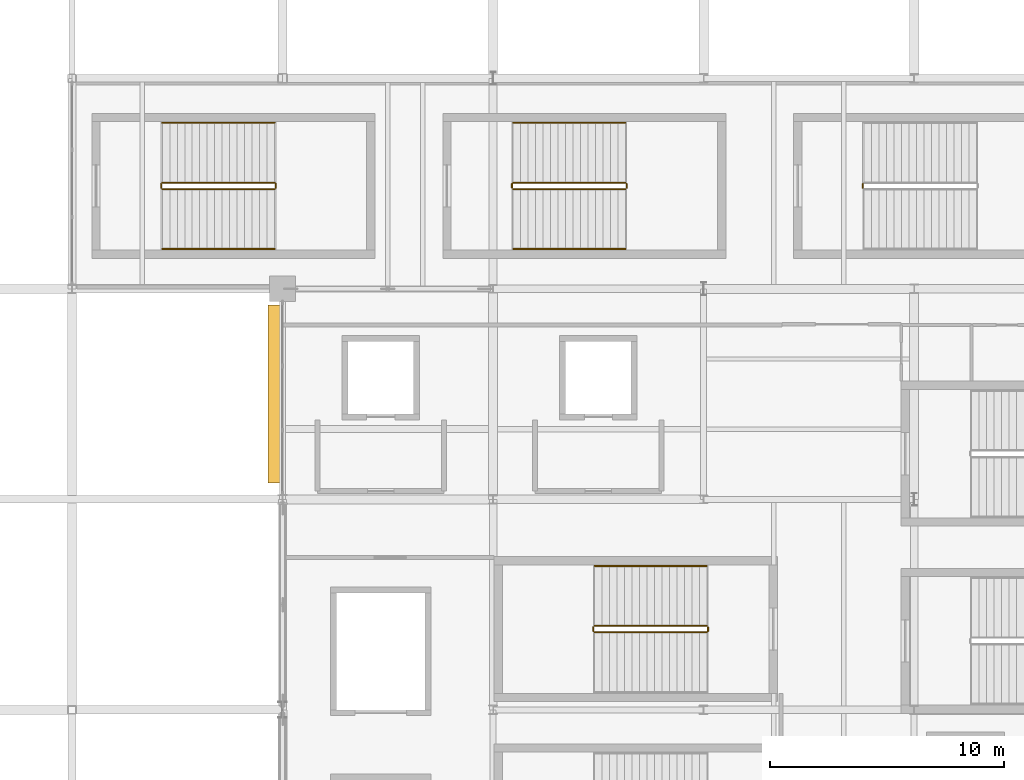
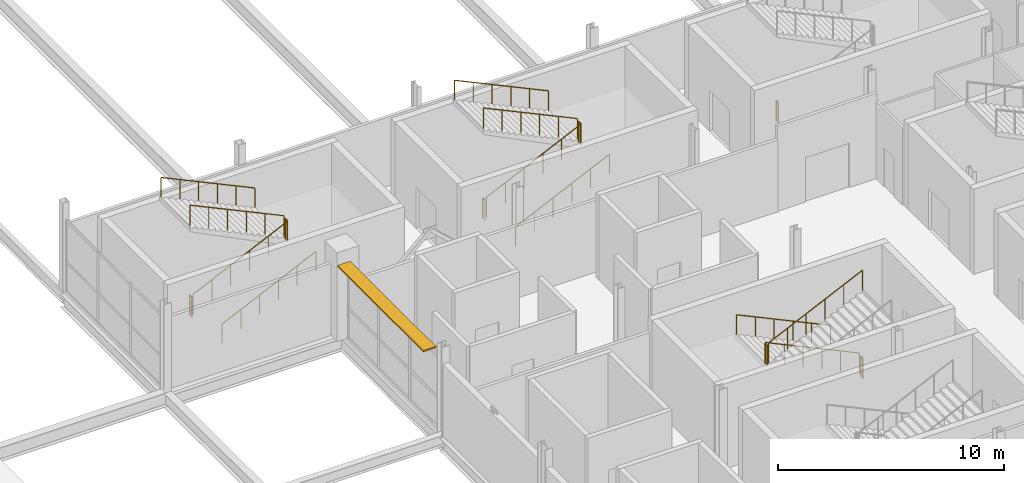
# One storey, part 222 of 224: 18 railings, 1 shading device.
"""IFC4 building model written with IfcOpenShell, lengths in metres."""

from ifc_helpers import new_model, si_unit, direction, frame, origin, origin_2d, place, context, subcontext, project, spatial, rectangle, circle, extrude, material, type_object, element, save


model = new_model("IFC4")

# Units and contexts
model_context = context("Model", 3, precision=1e-05, world=origin(), true_north=direction((0.0, 1.0)))
body_context = subcontext(model_context, "Body", "Model", "MODEL_VIEW")
ifc_project = project(units=[si_unit("LENGTHUNIT", "METRE"), si_unit("AREAUNIT", "SQUARE_METRE"), si_unit("VOLUMEUNIT", "CUBIC_METRE"), si_unit("PLANEANGLEUNIT", "RADIAN"), si_unit("MASSUNIT", "GRAM", prefix="KILO")], contexts=[model_context])

# Site, building, storey
site_placement = place(None, origin())
site = spatial("IfcSite", under=ifc_project, at=site_placement, CompositionType="ELEMENT")
building_placement = place(site_placement, origin())
building = spatial("IfcBuilding", under=site, at=building_placement, Name="Qamarlyn Nura Convention Centre", CompositionType="ELEMENT")
storey_placement = place(building_placement, frame((0.0, 0.0, 10.800048828125)))
storey = spatial("IfcBuildingStorey", under=building, at=storey_placement, Name="L02", CompositionType="ELEMENT", Elevation=10.800048828125)

# Railings
ifc_material_1 = material(Name="Marine Grade 316 stainless steel", Category="steel")
railing_type_1 = type_object("IfcRailingType", Name="GRD-STAIR-112", PredefinedType="BALUSTRADE", material=ifc_material_1)
railing_1_placement = place(storey_placement, frame((171.139892578125, 66.590087890625, 0.14990234375)))
element("IfcRailing", 1, at=railing_1_placement, inside=storey, type_object=railing_type_1, Name="L02 ST-12 stair guard 1", PredefinedType="BALUSTRADE", context=body_context, shape_type="SweptSolid", body=[
    extrude(circle(Radius=0.02392578125, at=origin_2d()), frame((0.0, 0.0, 1.09619140625), z_axis=(-0.905452298538, 0.0, 0.424448035774), x_axis=(0.0, -1.0, 0.0)), (0.0, 0.0, 1.0), 5.301025390625),
    extrude(circle(Radius=0.02099609375, at=origin_2d()), origin(), (0.0, 0.0, 1.0), 1.070068359375),
    extrude(circle(Radius=0.02099609375, at=origin_2d()), frame((-0.9599609375, 0.0, 0.449951171875)), (0.0, 0.0, 1.0), 1.070068359375),
    extrude(circle(Radius=0.02099609375, at=origin_2d()), frame((-1.919921875, 0.0, 0.89990234375)), (0.0, 0.0, 1.0), 1.070068359375),
    extrude(circle(Radius=0.02099609375, at=origin_2d()), frame((-2.8798828125, 0.0, 1.35009765625)), (0.0, 0.0, 1.0), 1.070068359375),
    extrude(circle(Radius=0.02099609375, at=origin_2d()), frame((-3.83984375, 0.0, 1.800048828125)), (0.0, 0.0, 1.0), 1.070068359375),
    extrude(circle(Radius=0.02099609375, at=origin_2d()), frame((-4.7998046875, 0.0, 2.25)), (0.0, 0.0, 1.0), 1.070068359375),
])
railing_2_placement = place(storey_placement, frame((166.2900390625, 66.5400390625, 2.39990234375)))
element("IfcRailing", 2, at=railing_2_placement, inside=storey, type_object=railing_type_1, Name="L02 ST-12 stair guard 2", PredefinedType="BALUSTRADE", context=body_context, shape_type="SweptSolid", body=[
    extrude(circle(Radius=0.02392578125, at=origin_2d()), frame((0.0, 0.0, 1.09619140625), z_axis=(0.0, -1.0, 0.0), x_axis=(1.0, 0.0, 0.0)), (0.0, 0.0, 1.0), 0.179931640625),
    extrude(circle(Radius=0.02099609375, at=origin_2d()), origin(), (0.0, 0.0, 1.0), 1.070068359375),
    extrude(circle(Radius=0.02099609375, at=origin_2d()), frame((0.0, -0.179931640625, 0.0)), (0.0, 0.0, 1.0), 1.070068359375),
])
railing_3_placement = place(storey_placement, frame((166.340087890625, 66.31005859375, 2.550048828125)))
element("IfcRailing", 3, at=railing_3_placement, inside=storey, type_object=railing_type_1, Name="L02 ST-12 stair guard 3", PredefinedType="BALUSTRADE", context=body_context, shape_type="SweptSolid", body=[
    extrude(circle(Radius=0.02392578125, at=origin_2d()), frame((0.0, 0.0, 1.09619140625), z_axis=(0.905452298538, 0.0, 0.424448035774), x_axis=(0.0, 1.0, 0.0)), (0.0, 0.0, 1.0), 5.301025390625),
    extrude(circle(Radius=0.02099609375, at=origin_2d()), origin(), (0.0, 0.0, 1.0), 1.070068359375),
    extrude(circle(Radius=0.02099609375, at=origin_2d()), frame((0.9599609375, 0.0, 0.449951171875)), (0.0, 0.0, 1.0), 1.070068359375),
    extrude(circle(Radius=0.02099609375, at=origin_2d()), frame((1.919921875, 0.0, 0.89990234375)), (0.0, 0.0, 1.0), 1.070068359375),
    extrude(circle(Radius=0.02099609375, at=origin_2d()), frame((2.8798828125, 0.0, 1.35009765625)), (0.0, 0.0, 1.0), 1.070068359375),
    extrude(circle(Radius=0.02099609375, at=origin_2d()), frame((3.83984375, 0.0, 1.800048828125)), (0.0, 0.0, 1.0), 1.070068359375),
    extrude(circle(Radius=0.02099609375, at=origin_2d()), frame((4.7998046875, 0.0, 2.25)), (0.0, 0.0, 1.0), 1.070068359375),
])
railing_4_placement = place(storey_placement, frame((171.18994140625, 66.5400390625, 0.0)))
element("IfcRailing", 4, at=railing_4_placement, inside=storey, type_object=railing_type_1, Name="L02 ST-12 stair guard 4", PredefinedType="BALUSTRADE", context=body_context, shape_type="SweptSolid", body=[
    extrude(circle(Radius=0.02392578125, at=origin_2d()), frame((0.0, 0.0, 1.09619140625), z_axis=(0.0, -1.0, 0.0), x_axis=(1.0, 0.0, 0.0)), (0.0, 0.0, 1.0), 0.179931640625),
    extrude(circle(Radius=0.02099609375, at=origin_2d()), origin(), (0.0, 0.0, 1.0), 1.070068359375),
    extrude(circle(Radius=0.02099609375, at=origin_2d()), frame((0.0, -0.179931640625, 0.0)), (0.0, 0.0, 1.0), 1.070068359375),
])
railing_5_placement = place(storey_placement, frame((147.860107421875, 85.260009765625, 0.14990234375)))
element("IfcRailing", 5, at=railing_5_placement, inside=storey, type_object=railing_type_1, Name="L02 ST-15 stair guard 1", PredefinedType="BALUSTRADE", context=body_context, shape_type="SweptSolid", body=[
    extrude(circle(Radius=0.02392578125, at=origin_2d()), frame((0.0, 0.0, 1.09619140625), z_axis=(0.905452298538, 0.0, 0.424448035774), x_axis=(0.0, 1.0, 0.0)), (0.0, 0.0, 1.0), 5.301025390625),
    extrude(circle(Radius=0.02099609375, at=origin_2d()), origin(), (0.0, 0.0, 1.0), 1.070068359375),
    extrude(circle(Radius=0.02099609375, at=origin_2d()), frame((0.9599609375, 0.0, 0.449951171875)), (0.0, 0.0, 1.0), 1.070068359375),
    extrude(circle(Radius=0.02099609375, at=origin_2d()), frame((1.919921875, 0.0, 0.89990234375)), (0.0, 0.0, 1.0), 1.070068359375),
    extrude(circle(Radius=0.02099609375, at=origin_2d()), frame((2.8798828125, 0.0, 1.35009765625)), (0.0, 0.0, 1.0), 1.070068359375),
    extrude(circle(Radius=0.02099609375, at=origin_2d()), frame((3.83984375, 0.0, 1.800048828125)), (0.0, 0.0, 1.0), 1.070068359375),
    extrude(circle(Radius=0.02099609375, at=origin_2d()), frame((4.7998046875, 0.0, 2.25)), (0.0, 0.0, 1.0), 1.070068359375),
])
railing_6_placement = place(storey_placement, frame((152.7099609375, 85.31005859375, 2.39990234375)))
element("IfcRailing", 6, at=railing_6_placement, inside=storey, type_object=railing_type_1, Name="L02 ST-15 stair guard 2", PredefinedType="BALUSTRADE", context=body_context, shape_type="SweptSolid", body=[
    extrude(circle(Radius=0.02392578125, at=origin_2d()), frame((0.0, 0.0, 1.09619140625), z_axis=(0.0, 1.0, 0.0), x_axis=(-1.0, 0.0, 0.0)), (0.0, 0.0, 1.0), 0.179931640625),
    extrude(circle(Radius=0.02099609375, at=origin_2d()), origin(), (0.0, 0.0, 1.0), 1.070068359375),
    extrude(circle(Radius=0.02099609375, at=origin_2d()), frame((0.0, 0.179931640625, 0.0)), (0.0, 0.0, 1.0), 1.070068359375),
])
railing_7_placement = place(storey_placement, frame((152.659912109375, 85.5400390625, 2.550048828125)))
element("IfcRailing", 7, at=railing_7_placement, inside=storey, type_object=railing_type_1, Name="L02 ST-15 stair guard 3", PredefinedType="BALUSTRADE", context=body_context, shape_type="SweptSolid", body=[
    extrude(circle(Radius=0.02392578125, at=origin_2d()), frame((0.0, 0.0, 1.09619140625), z_axis=(-0.905452298538, 0.0, 0.424448035774), x_axis=(0.0, -1.0, 0.0)), (0.0, 0.0, 1.0), 5.301025390625),
    extrude(circle(Radius=0.02099609375, at=origin_2d()), origin(), (0.0, 0.0, 1.0), 1.070068359375),
    extrude(circle(Radius=0.02099609375, at=origin_2d()), frame((-0.9599609375, 0.0, 0.449951171875)), (0.0, 0.0, 1.0), 1.070068359375),
    extrude(circle(Radius=0.02099609375, at=origin_2d()), frame((-1.919921875, 0.0, 0.89990234375)), (0.0, 0.0, 1.0), 1.070068359375),
    extrude(circle(Radius=0.02099609375, at=origin_2d()), frame((-2.8798828125, 0.0, 1.35009765625)), (0.0, 0.0, 1.0), 1.070068359375),
    extrude(circle(Radius=0.02099609375, at=origin_2d()), frame((-3.83984375, 0.0, 1.800048828125)), (0.0, 0.0, 1.0), 1.070068359375),
    extrude(circle(Radius=0.02099609375, at=origin_2d()), frame((-4.7998046875, 0.0, 2.25)), (0.0, 0.0, 1.0), 1.070068359375),
])
railing_8_placement = place(storey_placement, frame((147.81005859375, 85.31005859375, 0.0)))
element("IfcRailing", 8, at=railing_8_placement, inside=storey, type_object=railing_type_1, Name="L02 ST-15 stair guard 4", PredefinedType="BALUSTRADE", context=body_context, shape_type="SweptSolid", body=[
    extrude(circle(Radius=0.02392578125, at=origin_2d()), frame((0.0, 0.0, 1.09619140625), z_axis=(0.0, 1.0, 0.0), x_axis=(-1.0, 0.0, 0.0)), (0.0, 0.0, 1.0), 0.179931640625),
    extrude(circle(Radius=0.02099609375, at=origin_2d()), origin(), (0.0, 0.0, 1.0), 1.070068359375),
    extrude(circle(Radius=0.02099609375, at=origin_2d()), frame((0.0, 0.179931640625, 0.0)), (0.0, 0.0, 1.0), 1.070068359375),
])
railing_9_placement = place(storey_placement, frame((162.860107421875, 85.260009765625, 0.14990234375)))
element("IfcRailing", 9, at=railing_9_placement, inside=storey, type_object=railing_type_1, Name="L02 ST-16 stair guard 1", PredefinedType="BALUSTRADE", context=body_context, shape_type="SweptSolid", body=[
    extrude(circle(Radius=0.02392578125, at=origin_2d()), frame((0.0, 0.0, 1.09619140625), z_axis=(0.905452298538, 0.0, 0.424448035774), x_axis=(0.0, 1.0, 0.0)), (0.0, 0.0, 1.0), 5.301025390625),
    extrude(circle(Radius=0.02099609375, at=origin_2d()), origin(), (0.0, 0.0, 1.0), 1.070068359375),
    extrude(circle(Radius=0.02099609375, at=origin_2d()), frame((0.9599609375, 0.0, 0.449951171875)), (0.0, 0.0, 1.0), 1.070068359375),
    extrude(circle(Radius=0.02099609375, at=origin_2d()), frame((1.919921875, 0.0, 0.89990234375)), (0.0, 0.0, 1.0), 1.070068359375),
    extrude(circle(Radius=0.02099609375, at=origin_2d()), frame((2.8798828125, 0.0, 1.35009765625)), (0.0, 0.0, 1.0), 1.070068359375),
    extrude(circle(Radius=0.02099609375, at=origin_2d()), frame((3.83984375, 0.0, 1.800048828125)), (0.0, 0.0, 1.0), 1.070068359375),
    extrude(circle(Radius=0.02099609375, at=origin_2d()), frame((4.7998046875, 0.0, 2.25)), (0.0, 0.0, 1.0), 1.070068359375),
])
railing_10_placement = place(storey_placement, frame((167.7099609375, 85.31005859375, 2.39990234375)))
element("IfcRailing", 10, at=railing_10_placement, inside=storey, type_object=railing_type_1, Name="L02 ST-16 stair guard 2", PredefinedType="BALUSTRADE", context=body_context, shape_type="SweptSolid", body=[
    extrude(circle(Radius=0.02392578125, at=origin_2d()), frame((0.0, 0.0, 1.09619140625), z_axis=(0.0, 1.0, 0.0), x_axis=(-1.0, 0.0, 0.0)), (0.0, 0.0, 1.0), 0.179931640625),
    extrude(circle(Radius=0.02099609375, at=origin_2d()), origin(), (0.0, 0.0, 1.0), 1.070068359375),
    extrude(circle(Radius=0.02099609375, at=origin_2d()), frame((0.0, 0.179931640625, 0.0)), (0.0, 0.0, 1.0), 1.070068359375),
])
railing_11_placement = place(storey_placement, frame((167.659912109375, 85.5400390625, 2.550048828125)))
element("IfcRailing", 11, at=railing_11_placement, inside=storey, type_object=railing_type_1, Name="L02 ST-16 stair guard 3", PredefinedType="BALUSTRADE", context=body_context, shape_type="SweptSolid", body=[
    extrude(circle(Radius=0.02392578125, at=origin_2d()), frame((0.0, 0.0, 1.09619140625), z_axis=(-0.905452298538, 0.0, 0.424448035774), x_axis=(0.0, -1.0, 0.0)), (0.0, 0.0, 1.0), 5.301025390625),
    extrude(circle(Radius=0.02099609375, at=origin_2d()), origin(), (0.0, 0.0, 1.0), 1.070068359375),
    extrude(circle(Radius=0.02099609375, at=origin_2d()), frame((-0.9599609375, 0.0, 0.449951171875)), (0.0, 0.0, 1.0), 1.070068359375),
    extrude(circle(Radius=0.02099609375, at=origin_2d()), frame((-1.919921875, 0.0, 0.89990234375)), (0.0, 0.0, 1.0), 1.070068359375),
    extrude(circle(Radius=0.02099609375, at=origin_2d()), frame((-2.8798828125, 0.0, 1.35009765625)), (0.0, 0.0, 1.0), 1.070068359375),
    extrude(circle(Radius=0.02099609375, at=origin_2d()), frame((-3.83984375, 0.0, 1.800048828125)), (0.0, 0.0, 1.0), 1.070068359375),
    extrude(circle(Radius=0.02099609375, at=origin_2d()), frame((-4.7998046875, 0.0, 2.25)), (0.0, 0.0, 1.0), 1.070068359375),
])
for number, where, name in (
    (12, (162.81005859375, 85.31005859375, 0.0), "L02 ST-16 stair guard 4"),
    (13, (177.81005859375, 85.31005859375, 0.0), "L02 ST-17 stair guard 4"),
):
    element("IfcRailing", number, at=place(storey_placement, frame(where)), inside=storey, type_object=railing_type_1, Name=name, PredefinedType="BALUSTRADE", context=body_context, shape_type="SweptSolid", body=[
        extrude(circle(Radius=0.02392578125, at=origin_2d()), frame((0.0, 0.0, 1.09619140625), z_axis=(0.0, 1.0, 0.0), x_axis=(-1.0, 0.0, 0.0)), (0.0, 0.0, 1.0), 0.179931640625),
        extrude(circle(Radius=0.02099609375, at=origin_2d()), origin(), (0.0, 0.0, 1.0), 1.070068359375),
        extrude(circle(Radius=0.02099609375, at=origin_2d()), frame((0.0, 0.179931640625, 0.0)), (0.0, 0.0, 1.0), 1.070068359375),
    ])
railing_type_2 = type_object("IfcRailingType", Name="HRL-STAIR-090", PredefinedType="HANDRAIL", material=ifc_material_1)
railing_12_placement = place(storey_placement, frame((171.139892578125, 69.14990234375, 0.30224609375)))
element("IfcRailing", 14, at=railing_12_placement, inside=storey, type_object=railing_type_2, Name="L02 ST-12 stair handrail 1", PredefinedType="HANDRAIL", context=body_context, shape_type="SweptSolid", body=[
    extrude(circle(Radius=0.02392578125, at=origin_2d()), frame((0.0, 0.0, 0.88818359375), z_axis=(-0.905452298538, 0.0, 0.424448035774), x_axis=(0.0, -1.0, 0.0)), (0.0, 0.0, 1.0), 5.301025390625),
    extrude(circle(Radius=0.02099609375, at=origin_2d()), frame((0.0, 0.0, -0.155029296875)), (0.0, 0.0, 1.0), 1.01708984375),
    extrude(circle(Radius=0.02099609375, at=origin_2d()), frame((-0.9599609375, 0.0, 0.294921875)), (0.0, 0.0, 1.0), 1.01708984375),
    extrude(circle(Radius=0.02099609375, at=origin_2d()), frame((-1.919921875, 0.0, 0.744873046875)), (0.0, 0.0, 1.0), 1.01708984375),
    extrude(circle(Radius=0.02099609375, at=origin_2d()), frame((-2.8798828125, 0.0, 1.195068359375)), (0.0, 0.0, 1.0), 1.01708984375),
    extrude(circle(Radius=0.02099609375, at=origin_2d()), frame((-3.83984375, 0.0, 1.64501953125)), (0.0, 0.0, 1.0), 1.01708984375),
    extrude(circle(Radius=0.02099609375, at=origin_2d()), frame((-4.7998046875, 0.0, 2.094970703125)), (0.0, 0.0, 1.0), 1.01708984375),
])
railing_13_placement = place(storey_placement, frame((147.860107421875, 82.699951171875, 0.30224609375)))
element("IfcRailing", 15, at=railing_13_placement, inside=storey, type_object=railing_type_2, Name="L02 ST-15 stair handrail 1", PredefinedType="HANDRAIL", context=body_context, shape_type="SweptSolid", body=[
    extrude(circle(Radius=0.02392578125, at=origin_2d()), frame((0.0, 0.0, 0.88818359375), z_axis=(0.905452298538, 0.0, 0.424448035774), x_axis=(0.0, 1.0, 0.0)), (0.0, 0.0, 1.0), 5.301025390625),
    extrude(circle(Radius=0.02099609375, at=origin_2d()), frame((0.0, 0.0, -0.155029296875)), (0.0, 0.0, 1.0), 1.01708984375),
    extrude(circle(Radius=0.02099609375, at=origin_2d()), frame((0.9599609375, 0.0, 0.294921875)), (0.0, 0.0, 1.0), 1.01708984375),
    extrude(circle(Radius=0.02099609375, at=origin_2d()), frame((1.919921875, 0.0, 0.744873046875)), (0.0, 0.0, 1.0), 1.01708984375),
    extrude(circle(Radius=0.02099609375, at=origin_2d()), frame((2.8798828125, 0.0, 1.195068359375)), (0.0, 0.0, 1.0), 1.01708984375),
    extrude(circle(Radius=0.02099609375, at=origin_2d()), frame((3.83984375, 0.0, 1.64501953125)), (0.0, 0.0, 1.0), 1.01708984375),
    extrude(circle(Radius=0.02099609375, at=origin_2d()), frame((4.7998046875, 0.0, 2.094970703125)), (0.0, 0.0, 1.0), 1.01708984375),
])
railing_14_placement = place(storey_placement, frame((152.659912109375, 88.10009765625, 2.7021484375)))
element("IfcRailing", 16, at=railing_14_placement, inside=storey, type_object=railing_type_2, Name="L02 ST-15 stair handrail 2", PredefinedType="HANDRAIL", context=body_context, shape_type="SweptSolid", body=[
    extrude(circle(Radius=0.02392578125, at=origin_2d()), frame((0.0, 0.0, 0.88818359375), z_axis=(-0.905452298538, 0.0, 0.424448035774), x_axis=(0.0, -1.0, 0.0)), (0.0, 0.0, 1.0), 5.301025390625),
    extrude(circle(Radius=0.02099609375, at=origin_2d()), frame((0.0, 0.0, -0.155029296875)), (0.0, 0.0, 1.0), 1.01708984375),
    extrude(circle(Radius=0.02099609375, at=origin_2d()), frame((-0.9599609375, 0.0, 0.294921875)), (0.0, 0.0, 1.0), 1.01708984375),
    extrude(circle(Radius=0.02099609375, at=origin_2d()), frame((-1.919921875, 0.0, 0.744873046875)), (0.0, 0.0, 1.0), 1.01708984375),
    extrude(circle(Radius=0.02099609375, at=origin_2d()), frame((-2.8798828125, 0.0, 1.195068359375)), (0.0, 0.0, 1.0), 1.01708984375),
    extrude(circle(Radius=0.02099609375, at=origin_2d()), frame((-3.83984375, 0.0, 1.64501953125)), (0.0, 0.0, 1.0), 1.01708984375),
    extrude(circle(Radius=0.02099609375, at=origin_2d()), frame((-4.7998046875, 0.0, 2.094970703125)), (0.0, 0.0, 1.0), 1.01708984375),
])
railing_15_placement = place(storey_placement, frame((162.860107421875, 82.699951171875, 0.30224609375)))
element("IfcRailing", 17, at=railing_15_placement, inside=storey, type_object=railing_type_2, Name="L02 ST-16 stair handrail 1", PredefinedType="HANDRAIL", context=body_context, shape_type="SweptSolid", body=[
    extrude(circle(Radius=0.02392578125, at=origin_2d()), frame((0.0, 0.0, 0.88818359375), z_axis=(0.905452298538, 0.0, 0.424448035774), x_axis=(0.0, 1.0, 0.0)), (0.0, 0.0, 1.0), 5.301025390625),
    extrude(circle(Radius=0.02099609375, at=origin_2d()), frame((0.0, 0.0, -0.155029296875)), (0.0, 0.0, 1.0), 1.01708984375),
    extrude(circle(Radius=0.02099609375, at=origin_2d()), frame((0.9599609375, 0.0, 0.294921875)), (0.0, 0.0, 1.0), 1.01708984375),
    extrude(circle(Radius=0.02099609375, at=origin_2d()), frame((1.919921875, 0.0, 0.744873046875)), (0.0, 0.0, 1.0), 1.01708984375),
    extrude(circle(Radius=0.02099609375, at=origin_2d()), frame((2.8798828125, 0.0, 1.195068359375)), (0.0, 0.0, 1.0), 1.01708984375),
    extrude(circle(Radius=0.02099609375, at=origin_2d()), frame((3.83984375, 0.0, 1.64501953125)), (0.0, 0.0, 1.0), 1.01708984375),
    extrude(circle(Radius=0.02099609375, at=origin_2d()), frame((4.7998046875, 0.0, 2.094970703125)), (0.0, 0.0, 1.0), 1.01708984375),
])
railing_16_placement = place(storey_placement, frame((167.659912109375, 88.10009765625, 2.7021484375)))
element("IfcRailing", 18, at=railing_16_placement, inside=storey, type_object=railing_type_2, Name="L02 ST-16 stair handrail 2", PredefinedType="HANDRAIL", context=body_context, shape_type="SweptSolid", body=[
    extrude(circle(Radius=0.02392578125, at=origin_2d()), frame((0.0, 0.0, 0.88818359375), z_axis=(-0.905452298538, 0.0, 0.424448035774), x_axis=(0.0, -1.0, 0.0)), (0.0, 0.0, 1.0), 5.301025390625),
    extrude(circle(Radius=0.02099609375, at=origin_2d()), frame((0.0, 0.0, -0.155029296875)), (0.0, 0.0, 1.0), 1.01708984375),
    extrude(circle(Radius=0.02099609375, at=origin_2d()), frame((-0.9599609375, 0.0, 0.294921875)), (0.0, 0.0, 1.0), 1.01708984375),
    extrude(circle(Radius=0.02099609375, at=origin_2d()), frame((-1.919921875, 0.0, 0.744873046875)), (0.0, 0.0, 1.0), 1.01708984375),
    extrude(circle(Radius=0.02099609375, at=origin_2d()), frame((-2.8798828125, 0.0, 1.195068359375)), (0.0, 0.0, 1.0), 1.01708984375),
    extrude(circle(Radius=0.02099609375, at=origin_2d()), frame((-3.83984375, 0.0, 1.64501953125)), (0.0, 0.0, 1.0), 1.01708984375),
    extrude(circle(Radius=0.02099609375, at=origin_2d()), frame((-4.7998046875, 0.0, 2.094970703125)), (0.0, 0.0, 1.0), 1.01708984375),
])

# Shading device
ifc_material_2 = material(Name="Champagne-anodised marine aluminium", Category="aluminium")
shading_device_type = type_object("IfcShadingDeviceType", Name="SHD-SUN-SHUTTER", PredefinedType="SHUTTER", material=ifc_material_2)
shading_device_placement = place(storey_placement, frame((152.699951171875, 76.5, 4.159912109375), z_axis=(0.0, 0.0, 1.0), x_axis=(1.0, 0.0, 0.0)))
element("IfcShadingDevice", 19, at=shading_device_placement, inside=storey, type_object=shading_device_type, Name="L02 courtyard solar sunshade 72", PredefinedType="SHUTTER", context=body_context, shape_type="SweptSolid", body=[
    extrude(rectangle(XDim=0.64990234375, YDim=7.60009765625, at=origin_2d()), origin(), (0.0, 0.0, 1.0), 0.080078125),
])

save(model, "model.ifc")
